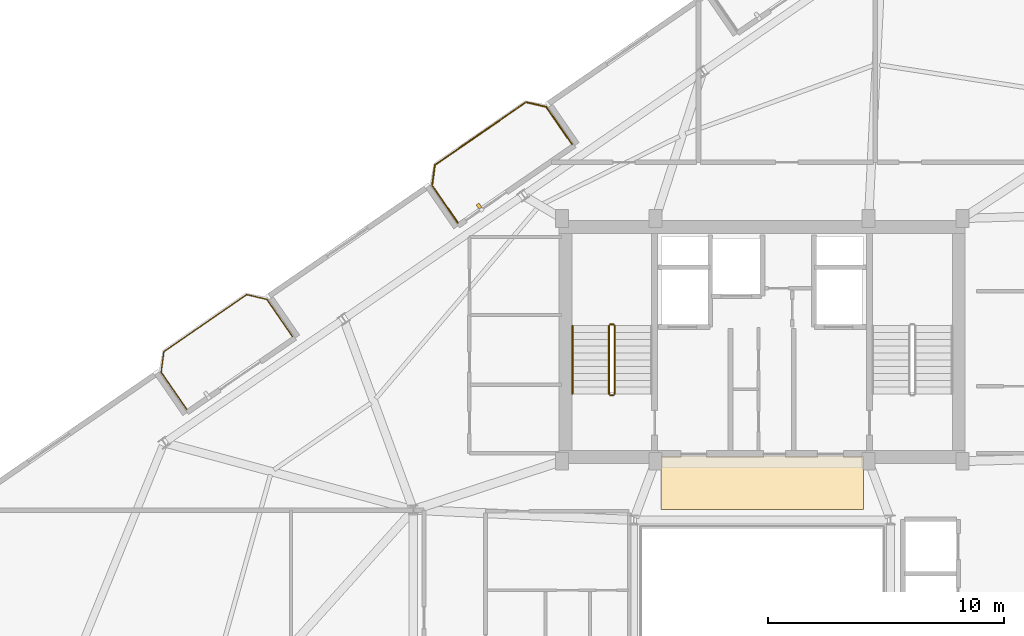
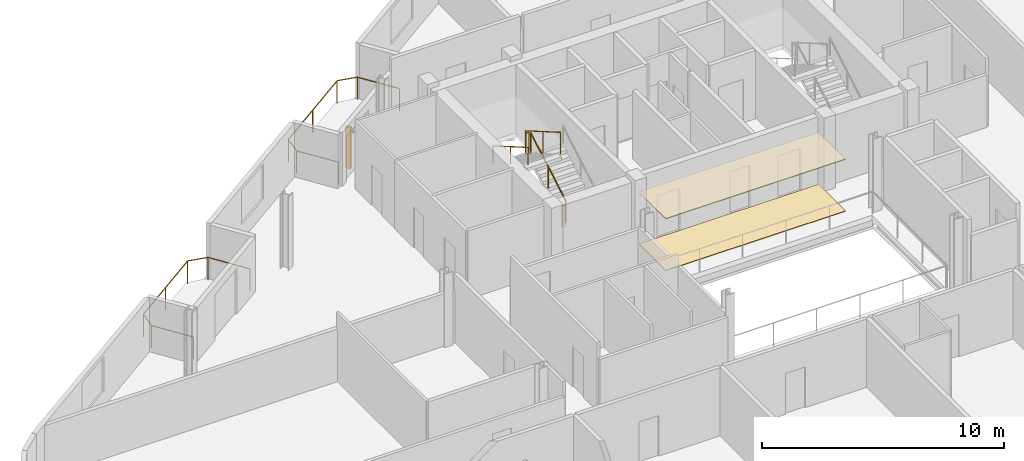
# One storey, part 22 of 23: 7 railings, 2 coverings, 1 shading device.
"""IFC4 building model written with IfcOpenShell, lengths in metres."""

from ifc_helpers import new_model, si_unit, direction, frame, origin, origin_2d, place, context, subcontext, project, spatial, rectangle, circle, extrude, source, transform, mapped, material, layer, layer_set, type_object, element, save


model = new_model("IFC4")

# Units and contexts
model_context = context("Model", 3, precision=1e-05, world=origin(), true_north=direction((0.0, 1.0)))
body_context = subcontext(model_context, "Body", "Model", "MODEL_VIEW")
ifc_project = project(units=[si_unit("LENGTHUNIT", "METRE"), si_unit("AREAUNIT", "SQUARE_METRE"), si_unit("VOLUMEUNIT", "CUBIC_METRE"), si_unit("PLANEANGLEUNIT", "RADIAN"), si_unit("MASSUNIT", "GRAM", prefix="KILO")], contexts=[model_context])

# Site, building, storey
site_placement = place(None, origin())
site = spatial("IfcSite", under=ifc_project, at=site_placement, CompositionType="ELEMENT")
building_placement = place(site_placement, origin())
building = spatial("IfcBuilding", under=site, at=building_placement, Name="Varnelok Gate Tower", CompositionType="ELEMENT")
storey_placement = place(building_placement, frame((0.0, 0.0, 258.199951171875)))
storey = spatial("IfcBuildingStorey", under=building, at=storey_placement, Name="L66", CompositionType="ELEMENT", Elevation=258.199951171875)

# Railings
ifc_material_1 = material(Name="Low-E Laminated Double Glazing IGU", Category="glass")
railing_type_1 = type_object("IfcRailingType", Name="RL-BALC-1150", PredefinedType="BALUSTRADE", material=ifc_material_1)
railing_1_placement = place(storey_placement, frame((14.781982421875, 30.944580078125, 0.0)))
element("IfcRailing", 1, at=railing_1_placement, inside=storey, type_object=railing_type_1, Name="L66 North Terrace Balustrade 4", PredefinedType="BALUSTRADE", context=body_context, shape_type="SweptSolid", body=[
    extrude(circle(Radius=0.02392578125, at=origin_2d()), frame((0.0, 0.0, 1.1259765625), z_axis=(-0.567284155424, 0.82352212296, 0.0), x_axis=(-0.82352212296, -0.567284155424, 0.0)), (0.0, 0.0, 1.0), 1.919921875),
    extrude(circle(Radius=0.02392578125, at=origin_2d()), frame((-1.089111328125, 1.5810546875, 1.1259765625), z_axis=(0.133475040405, 0.991052175008, 0.0), x_axis=(-0.991052175008, 0.133475040405, 0.0)), (0.0, 0.0, 1.0), 0.8779296875),
    extrude(circle(Radius=0.02392578125, at=origin_2d()), frame((-0.971923828125, 2.451171875, 1.1259765625), z_axis=(0.82355749358, 0.567232804735, 0.0), x_axis=(-0.567232804735, 0.82355749358, 0.0)), (0.0, 0.0, 1.0), 4.26708984375),
    extrude(circle(Radius=0.02392578125, at=origin_2d()), frame((2.542236328125, 4.87158203125, 1.1259765625), z_axis=(0.973511928193, -0.228636229993, 0.0), x_axis=(0.228636229993, 0.973511928193, 0.0)), (0.0, 0.0, 1.0), 0.877685546875),
    extrude(circle(Radius=0.02392578125, at=origin_2d()), frame((3.396728515625, 4.6708984375, 1.1259765625), z_axis=(0.567284155424, -0.82352212296, 0.0), x_axis=(0.82352212296, 0.567284155424, 0.0)), (0.0, 0.0, 1.0), 1.919921875),
    extrude(circle(Radius=0.02099609375, at=origin_2d()), origin(), (0.0, 0.0, 1.0), 1.101806640625),
    extrude(circle(Radius=0.02099609375, at=origin_2d()), frame((-1.089111328125, 1.5810546875, 0.0)), (0.0, 0.0, 1.0), 1.101806640625),
    extrude(circle(Radius=0.02099609375, at=origin_2d()), frame((-0.971923828125, 2.451171875, 0.0)), (0.0, 0.0, 1.0), 1.101806640625),
    extrude(circle(Radius=0.02099609375, at=origin_2d()), frame((0.78515625, 3.661376953125, 0.0)), (0.0, 0.0, 1.0), 1.101806640625),
    extrude(circle(Radius=0.02099609375, at=origin_2d()), frame((2.542236328125, 4.87158203125, 0.0)), (0.0, 0.0, 1.0), 1.101806640625),
    extrude(circle(Radius=0.02099609375, at=origin_2d()), frame((3.396728515625, 4.6708984375, 0.0)), (0.0, 0.0, 1.0), 1.101806640625),
    extrude(circle(Radius=0.02099609375, at=origin_2d()), frame((4.48583984375, 3.08984375, 0.0)), (0.0, 0.0, 1.0), 1.101806640625),
])
railing_2_placement = place(storey_placement, frame((26.2841796875, 38.86767578125, 0.0)))
element("IfcRailing", 2, at=railing_2_placement, inside=storey, type_object=railing_type_1, Name="L66 North Terrace Balustrade 5", PredefinedType="BALUSTRADE", context=body_context, shape_type="SweptSolid", body=[
    extrude(circle(Radius=0.02392578125, at=origin_2d()), frame((0.0, 0.0, 1.1259765625), z_axis=(-0.567197904061, 0.82358153065, 0.0), x_axis=(-0.82358153065, -0.567197904061, 0.0)), (0.0, 0.0, 1.0), 1.919677734375),
    extrude(circle(Radius=0.02392578125, at=origin_2d()), frame((-1.0888671875, 1.5810546875, 1.1259765625), z_axis=(0.133238627421, 0.991083986433, 0.0), x_axis=(-0.991083986433, 0.133238627421, 0.0)), (0.0, 0.0, 1.0), 0.877685546875),
    extrude(circle(Radius=0.02392578125, at=origin_2d()), frame((-0.971923828125, 2.450927734375, 1.1259765625), z_axis=(0.823523239622, 0.567282534371, 0.0), x_axis=(-0.567282534371, 0.823523239622, 0.0)), (0.0, 0.0, 1.0), 4.699951171875),
    extrude(circle(Radius=0.02392578125, at=origin_2d()), frame((2.898681640625, 5.1171875, 1.1259765625), z_axis=(0.973526462254, -0.228574336467, 0.0), x_axis=(0.228574336467, 0.973526462254, 0.0)), (0.0, 0.0, 1.0), 0.8779296875),
    extrude(circle(Radius=0.02392578125, at=origin_2d()), frame((3.75341796875, 4.91650390625, 1.1259765625), z_axis=(0.567284155424, -0.82352212296, 0.0), x_axis=(0.82352212296, 0.567284155424, 0.0)), (0.0, 0.0, 1.0), 1.919921875),
    extrude(circle(Radius=0.02099609375, at=origin_2d()), origin(), (0.0, 0.0, 1.0), 1.101806640625),
    extrude(circle(Radius=0.02099609375, at=origin_2d()), frame((-1.0888671875, 1.5810546875, 0.0)), (0.0, 0.0, 1.0), 1.101806640625),
    extrude(circle(Radius=0.02099609375, at=origin_2d()), frame((-0.971923828125, 2.450927734375, 0.0)), (0.0, 0.0, 1.0), 1.101806640625),
    extrude(circle(Radius=0.02099609375, at=origin_2d()), frame((0.96337890625, 3.7841796875, 0.0)), (0.0, 0.0, 1.0), 1.101806640625),
    extrude(circle(Radius=0.02099609375, at=origin_2d()), frame((2.898681640625, 5.1171875, 0.0)), (0.0, 0.0, 1.0), 1.101806640625),
    extrude(circle(Radius=0.02099609375, at=origin_2d()), frame((3.75341796875, 4.91650390625, 0.0)), (0.0, 0.0, 1.0), 1.101806640625),
    extrude(circle(Radius=0.02099609375, at=origin_2d()), frame((4.842529296875, 3.33544921875, 0.0)), (0.0, 0.0, 1.0), 1.101806640625),
])
ifc_material_2 = material(Name="Brushed Stainless Steel AISI 316", Category="steel")
railing_type_2 = type_object("IfcRailingType", Name="RL-HANDRAIL-900", PredefinedType="HANDRAIL", material=ifc_material_2)
railing_3_placement = place(storey_placement, frame((31.14990234375, 34.5, 2.018310546875)))
element("IfcRailing", 3, at=railing_3_placement, inside=storey, type_object=railing_type_2, Name="L66 ST-1 stair handrail 2", PredefinedType="HANDRAIL", context=body_context, shape_type="SweptSolid", body=[
    extrude(circle(Radius=0.02392578125, at=origin_2d()), frame((0.0, 0.0, 0.8759765625), z_axis=(0.0, -0.86507038078, 0.501650512107), x_axis=(1.0, 0.0, 0.0)), (0.0, 0.0, 1.0), 3.352294921875),
    extrude(circle(Radius=0.02099609375, at=origin_2d()), origin(), (0.0, 0.0, 1.0), 0.851806640625),
    extrude(circle(Radius=0.02099609375, at=origin_2d()), frame((0.0, -1.449951171875, 0.8408203125)), (0.0, 0.0, 1.0), 0.851806640625),
    extrude(circle(Radius=0.02099609375, at=origin_2d()), frame((0.0, -2.89990234375, 1.681640625)), (0.0, 0.0, 1.0), 0.851806640625),
])
ifc_material_3 = material(Name="Galvanized Steel Grade S350GD", Category="steel")
railing_type_3 = type_object("IfcRailingType", Name="RL-STAIR-GUARD1120", PredefinedType="GUARDRAIL", material=ifc_material_3)
railing_4_placement = place(storey_placement, frame((32.949951171875, 31.60009765625, 0.168212890625)))
element("IfcRailing", 4, at=railing_4_placement, inside=storey, type_object=railing_type_3, Name="L66 ST-1 stair guard 1", PredefinedType="GUARDRAIL", context=body_context, shape_type="SweptSolid", body=[
    extrude(circle(Radius=0.02392578125, at=origin_2d()), frame((0.0, 0.0, 1.09619140625), z_axis=(0.0, 0.865038774852, 0.501705010941), x_axis=(-1.0, 0.0, 0.0)), (0.0, 0.0, 1.0), 3.352294921875),
    extrude(circle(Radius=0.02099609375, at=origin_2d()), origin(), (0.0, 0.0, 1.0), 1.072021484375),
    extrude(circle(Radius=0.02099609375, at=origin_2d()), frame((0.0, 1.449951171875, 0.8408203125)), (0.0, 0.0, 1.0), 1.072021484375),
    extrude(circle(Radius=0.02099609375, at=origin_2d()), frame((0.0, 2.89990234375, 1.681884765625)), (0.0, 0.0, 1.0), 1.072021484375),
])
railing_5_placement = place(storey_placement, frame((32.89990234375, 34.550048828125, 1.85009765625)))
element("IfcRailing", 5, at=railing_5_placement, inside=storey, type_object=railing_type_3, Name="L66 ST-1 stair guard 2", PredefinedType="GUARDRAIL", context=body_context, shape_type="SweptSolid", body=[
    extrude(circle(Radius=0.02392578125, at=origin_2d()), frame((0.0, 0.0, 1.09619140625), z_axis=(-1.0, 0.0, 0.0), x_axis=(0.0, -1.0, 0.0)), (0.0, 0.0, 1.0), 0.14990234375),
    extrude(circle(Radius=0.02099609375, at=origin_2d()), origin(), (0.0, 0.0, 1.0), 1.072021484375),
    extrude(circle(Radius=0.02099609375, at=origin_2d()), frame((-0.14990234375, 0.0, 0.0)), (0.0, 0.0, 1.0), 1.072021484375),
])
railing_6_placement = place(storey_placement, frame((32.699951171875, 34.5, 2.018310546875)))
element("IfcRailing", 6, at=railing_6_placement, inside=storey, type_object=railing_type_3, Name="L66 ST-1 stair guard 3", PredefinedType="GUARDRAIL", context=body_context, shape_type="SweptSolid", body=[
    extrude(circle(Radius=0.02392578125, at=origin_2d()), frame((0.0, 0.0, 1.09619140625), z_axis=(0.0, -0.86507038078, 0.501650512107), x_axis=(1.0, 0.0, 0.0)), (0.0, 0.0, 1.0), 3.352294921875),
    extrude(circle(Radius=0.02099609375, at=origin_2d()), origin(), (0.0, 0.0, 1.0), 1.072021484375),
    extrude(circle(Radius=0.02099609375, at=origin_2d()), frame((0.0, -1.449951171875, 0.8408203125)), (0.0, 0.0, 1.0), 1.072021484375),
    extrude(circle(Radius=0.02099609375, at=origin_2d()), frame((0.0, -2.89990234375, 1.681640625)), (0.0, 0.0, 1.0), 1.072021484375),
])
railing_7_placement = place(storey_placement, frame((32.89990234375, 31.550048828125, 0.0)))
element("IfcRailing", 7, at=railing_7_placement, inside=storey, type_object=railing_type_3, Name="L66 ST-1 stair guard 4", PredefinedType="GUARDRAIL", context=body_context, shape_type="SweptSolid", body=[
    extrude(circle(Radius=0.02392578125, at=origin_2d()), frame((0.0, 0.0, 1.09619140625), z_axis=(-1.0, 0.0, 0.0), x_axis=(0.0, -1.0, 0.0)), (0.0, 0.0, 1.0), 0.14990234375),
    extrude(circle(Radius=0.02099609375, at=origin_2d()), origin(), (0.0, 0.0, 1.0), 1.072021484375),
    extrude(circle(Radius=0.02099609375, at=origin_2d()), frame((-0.14990234375, 0.0, 0.0)), (0.0, 0.0, 1.0), 1.072021484375),
])

# Shading device
ifc_material_4 = material(Name="Glazed Architectural Terracotta Ceramic", Category="masonry")
shading_device_type = type_object("IfcShadingDeviceType", Name="SHD-TERRA-BAGUETTE", PredefinedType="USERDEFINED", material=ifc_material_4)
shared_shape_1 = source(origin(), body_context, "Body", "SweptSolid", [
    extrude(rectangle(XDim=0.139892578125, YDim=0.219970703125, at=origin_2d()), origin(), (0.0, 0.0, 1.0), 2.10009765625),
])
shading_device_placement = place(storey_placement, frame((27.18359375, 39.572021484375, 0.10009765625), z_axis=(0.0, 0.0, 1.0), x_axis=(0.823532597628, 0.567268949127, 0.0)))
element("IfcShadingDevice", 8, at=shading_device_placement, inside=storey, type_object=shading_device_type, Name="L66 Terracotta Ceramic Baguette Sunscreen 5.1", ObjectType="BAGUETTE", PredefinedType="USERDEFINED", context=body_context, shape_type="MappedRepresentation", body=[
    mapped(shared_shape_1, transform((0.0, 0.0, 0.0), scale=1.0)),
])

# Coverings
ifc_material_5 = material(Name="Honed Travertine Stone Flooring", Category="masonry")
ifc_layer_1 = layer(ifc_material_5, 0.02490234375)
ifc_layer_set_1 = layer_set([ifc_layer_1], Name="Honed Travertine Stone Flooring")
covering_type_1 = type_object("IfcCoveringType", Name="COV-FLOR-STONE", PredefinedType="FLOORING", material=ifc_layer_set_1)
shared_shape_2 = source(origin(), body_context, "Body", "SweptSolid", [
    extrude(rectangle(XDim=8.60009765625, YDim=2.219970703125, at=origin_2d()), origin(), (0.0, 0.0, 1.0), 0.02490234375),
])
covering_1_placement = place(storey_placement, frame((39.199951171875, 27.800048828125, 0.0), z_axis=(0.0, 0.0, 1.0), x_axis=(1.0, 0.0, 0.0)))
element("IfcCovering", 9, at=covering_1_placement, inside=storey, type_object=covering_type_1, Name="L66 Core Gallery Stone Flooring", PredefinedType="FLOORING", context=body_context, shape_type="MappedRepresentation", body=[
    mapped(shared_shape_2, transform((0.0, 0.0, 0.0), scale=1.0)),
])
ifc_material_6 = material(Name="Mineral Fiber Acoustic Ceiling Tile")
ifc_layer_2 = layer(ifc_material_6, 0.0400390625)
ifc_layer_set_2 = layer_set([ifc_layer_2], Name="Mineral Fiber Acoustic Ceiling Tile")
covering_type_2 = type_object("IfcCoveringType", Name="COV-CEIL-ACOUST", PredefinedType="CEILING", material=ifc_layer_set_2)
shared_shape_3 = source(origin(), body_context, "Body", "SweptSolid", [
    extrude(rectangle(XDim=8.60009765625, YDim=2.239990234375, at=origin_2d()), origin(), (0.0, 0.0, 1.0), 0.0400390625),
])
covering_2_placement = place(storey_placement, frame((39.199951171875, 27.820068359375, 2.60009765625), z_axis=(0.0, 0.0, 1.0), x_axis=(1.0, 0.0, 0.0)))
element("IfcCovering", 10, at=covering_2_placement, inside=storey, type_object=covering_type_2, Name="L66 Core Gallery Acoustic Ceiling", PredefinedType="CEILING", context=body_context, shape_type="MappedRepresentation", body=[
    mapped(shared_shape_3, transform((0.0, 0.0, 0.0), scale=1.0)),
])

save(model, "model.ifc")
